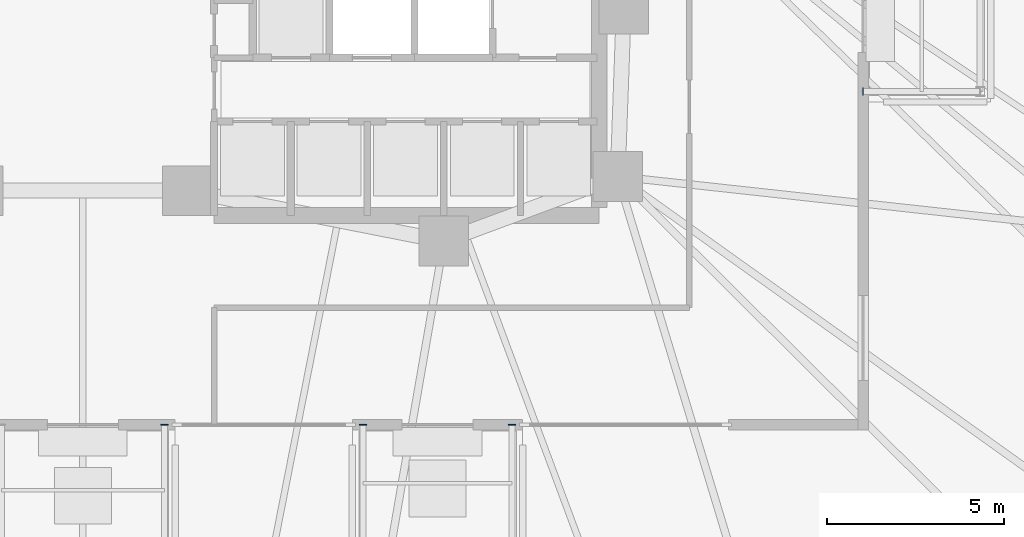
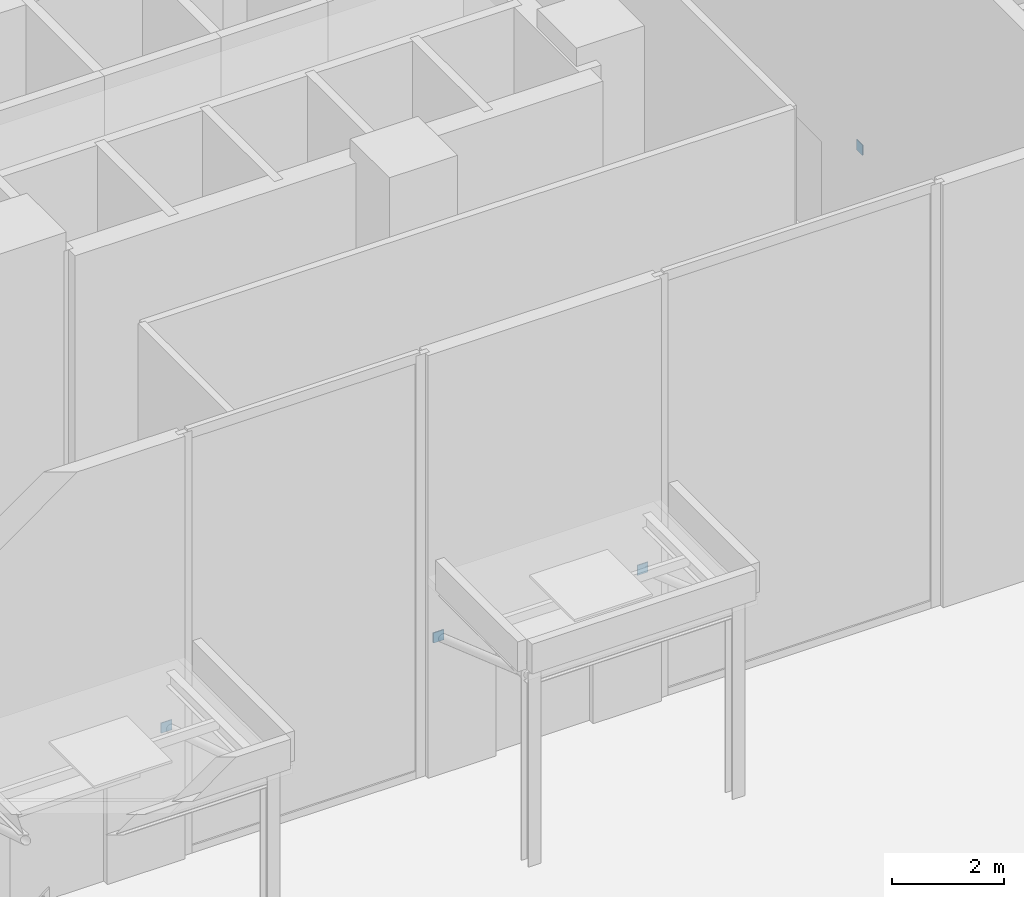
# One storey, part 16 of 24: 4 plates.
"""IFC4 building model written with IfcOpenShell, lengths in metres."""

from ifc_helpers import new_model, si_unit, direction, frame, origin, origin_2d, place, context, subcontext, project, spatial, rectangle, extrude, material, layer, layer_set, type_object, element, save


model = new_model("IFC4")

# Units and contexts
model_context = context("Model", 3, precision=1e-05, world=origin(), true_north=direction((0.0, 1.0)))
body_context = subcontext(model_context, "Body", "Model", "MODEL_VIEW")
ifc_project = project(units=[si_unit("LENGTHUNIT", "METRE"), si_unit("AREAUNIT", "SQUARE_METRE"), si_unit("VOLUMEUNIT", "CUBIC_METRE"), si_unit("PLANEANGLEUNIT", "RADIAN"), si_unit("MASSUNIT", "GRAM", prefix="KILO")], contexts=[model_context])

# Site, building, storey
site_placement = place(None, origin())
site = spatial("IfcSite", under=ifc_project, at=site_placement, CompositionType="ELEMENT")
building_placement = place(site_placement, origin())
building = spatial("IfcBuilding", under=site, at=building_placement, Name="Menara Jurai Vektor", CompositionType="ELEMENT")
storey_placement = place(building_placement, origin())
storey = spatial("IfcBuildingStorey", under=building, at=storey_placement, Name="L00", CompositionType="ELEMENT", Elevation=0.0)

# Plates
ifc_material = material(Name="Steel S355", Category="steel")
ifc_layer = layer(ifc_material, 0.02001953125)
ifc_layer_set = layer_set([ifc_layer], Name="Steel S355")
plate_type = type_object("IfcPlateType", Name="STR-PLT-ANCH20", PredefinedType="SHEET", material=ifc_layer_set)
for number, where, z_axis, x_axis, name in (
    (1, (2.300048828125, -11.5, 2.7900390625), (0.0, 0.0, 1.0), (1.0, 0.0, 0.0), "Canopy Strut Anchor Plate E2-2"),
    (2, (7.89990234375, -11.5, 2.7900390625), (0.0, 0.0, 1.0), (1.0, 0.0, 0.0), "Canopy Strut Anchor Plate E3-1"),
    (3, (12.10009765625, -11.5, 2.7900390625), (0.0, 0.0, 1.0), (1.0, 0.0, 0.0), "Canopy Strut Anchor Plate E3-2"),
    (4, (22.0, -2.10009765625, 2.7900390625), (0.0, 0.0, 1.0), (0.0, 1.0, 0.0), "Canopy Strut Anchor Plate E6-1"),
):
    element("IfcPlate", number, at=place(storey_placement, frame(where, z_axis=z_axis, x_axis=x_axis)), inside=storey, type_object=plate_type, Name=name, PredefinedType="SHEET", context=body_context, shape_type="SweptSolid", body=[
        extrude(rectangle(XDim=0.219970703125, YDim=0.02001953125, at=origin_2d()), origin(), (0.0, 0.0, 1.0), 0.219970703125),
    ])

save(model, "model.ifc")
